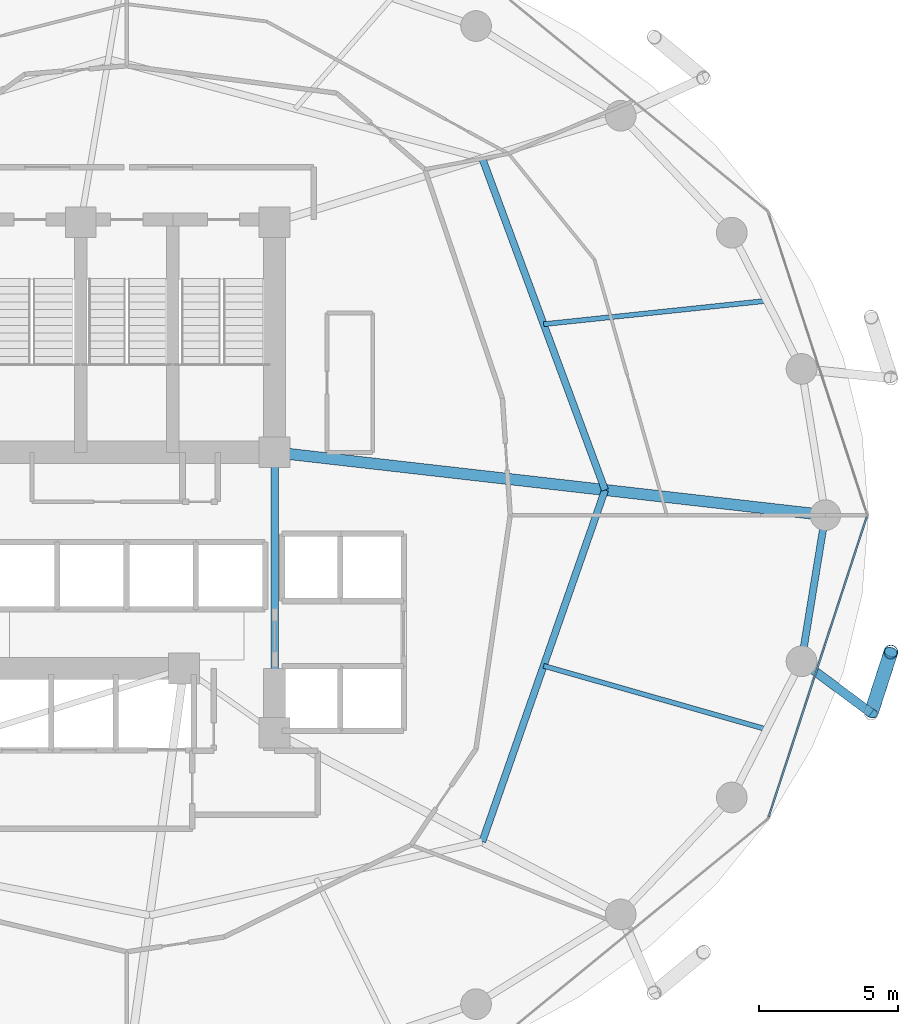
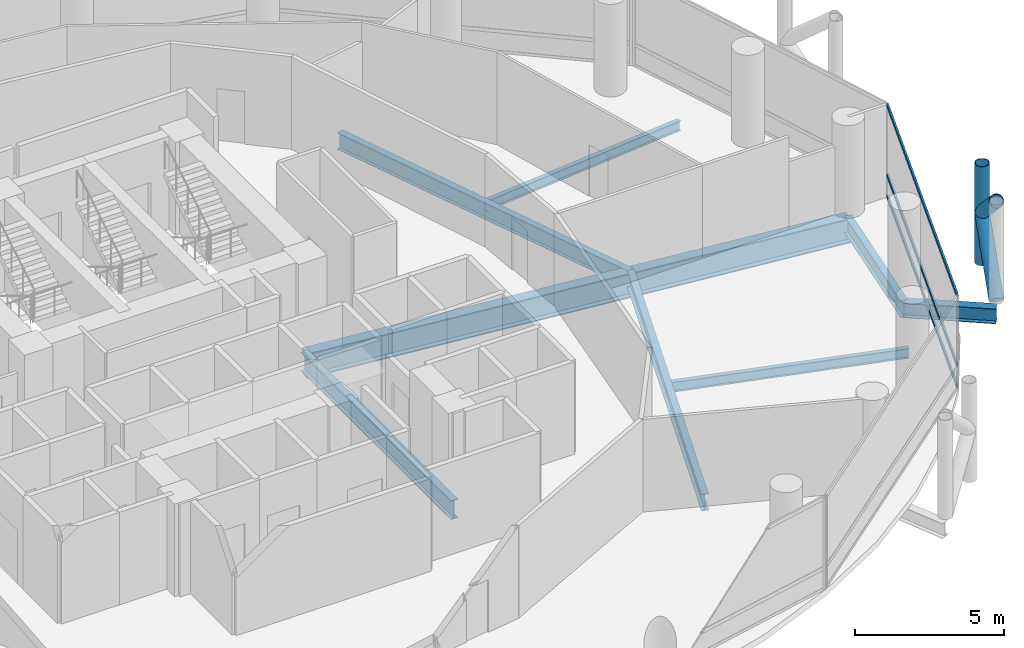
# One storey, part 11 of 25: 8 beams, 6 members, 1 element without a shape of its own.
"""IFC4 building model written with IfcOpenShell, lengths in metres."""

import ifcopenshell
import ifcopenshell.guid

model = None  # the IFC model being written
_history = None  # IfcOwnerHistory: only IFC2X3 demands one
_inside = {}  # id of a spatial element -> (the spatial element, [elements in it])
_under = {}  # id of a project, library or spatial element -> (it, [spatial elements below it])
_declared = {}  # id of a project -> (the project, [libraries it declares])
_typed = {}  # id of a type object -> (the type object, [elements of that type])
_made_of = {}  # id of a material, layer set ... -> (it, [elements and type objects made of it])


def new_model(schema):
    """Start an empty IFC model of exactly this schema.

    Asked for "IFC4X3", IfcOpenShell would pick the latest addendum, in which some entities
    have other attributes; the version numbers below select the first issue.
    IFC2X3 requires an IfcOwnerHistory on every rooted entity: one is made here for all.
    """
    global model, _history
    if schema == "IFC4X3":
        model = ifcopenshell.file(schema_version=(4, 3, 0, 0))
    else:
        model = ifcopenshell.file(schema=schema)
    _inside.clear()
    _under.clear()
    _declared.clear()
    _typed.clear()
    _made_of.clear()
    _history = None
    if model.schema == "IFC2X3":
        org = make("IfcOrganization", Name="unknown")
        user = make(
            "IfcPersonAndOrganization",
            ThePerson=make("IfcPerson", FamilyName="unknown"),
            TheOrganization=org,
        )
        app = make(
            "IfcApplication",
            ApplicationDeveloper=org,
            Version="unknown",
            ApplicationFullName="unknown",
            ApplicationIdentifier="unknown",
        )
        _history = make(
            "IfcOwnerHistory",
            OwningUser=user,
            OwningApplication=app,
            ChangeAction="ADDED",
            CreationDate=0,
        )
    return model


def make(cls, **values):
    """One entity of the class cls with the attributes given. An attribute that is None is left unset."""
    return model.create_entity(
        cls, **{name: value for name, value in values.items() if value is not None}
    )


def rooted(cls, **values):
    """An entity with a GlobalId (a new one), such as an element, a storey or a relation."""
    return make(cls, GlobalId=ifcopenshell.guid.new(), OwnerHistory=_history, **values)


def si_unit(unit_type, name, prefix=None):
    """IfcSIUnit, for example si_unit("LENGTHUNIT", "METRE", prefix="MILLI")."""
    return make("IfcSIUnit", UnitType=unit_type, Prefix=prefix, Name=name)


def assignment(units):
    """IfcUnitAssignment: the units of a project."""
    return None if units is None else make("IfcUnitAssignment", Units=units)


def point(xyz):
    """IfcCartesianPoint."""
    return None if xyz is None else make("IfcCartesianPoint", Coordinates=xyz)


def direction(xyz):
    """IfcDirection."""
    return None if xyz is None else make("IfcDirection", DirectionRatios=xyz)


def frame(location, z_axis=None, x_axis=None):
    """IfcAxis2Placement3D, a coordinate frame: its origin and axes. An axis left out is left unset."""
    return make(
        "IfcAxis2Placement3D",
        Location=point(location),
        Axis=direction(z_axis),
        RefDirection=direction(x_axis),
    )


def frame_2d(location, x_axis=None):
    """IfcAxis2Placement2D, a coordinate frame in the plane: its origin and x axis."""
    return make(
        "IfcAxis2Placement2D", Location=point(location), RefDirection=direction(x_axis)
    )


def origin():
    """The frame at (0, 0, 0) with its axes left unset."""
    return frame((0.0, 0.0, 0.0))


def origin_2d():
    """The frame at (0, 0) in the plane with its x axis left unset."""
    return frame_2d((0.0, 0.0))


def place(relative_to, where):
    """IfcLocalPlacement: puts the frame where relative to a parent placement (None: the world)."""
    return make(
        "IfcLocalPlacement", PlacementRelTo=relative_to, RelativePlacement=where
    )


def context(
    kind, dimensions, precision=None, world=None, true_north=None, identifier=None
):
    """IfcGeometricRepresentationContext, for example the 3D "Model" context."""
    return make(
        "IfcGeometricRepresentationContext",
        ContextIdentifier=identifier,
        ContextType=kind,
        CoordinateSpaceDimension=dimensions,
        Precision=precision,
        WorldCoordinateSystem=world,
        TrueNorth=true_north,
    )


def subcontext(parent, identifier, kind, view, scale=None):
    """IfcGeometricRepresentationSubContext, for example "Body" below "Model"."""
    return make(
        "IfcGeometricRepresentationSubContext",
        ContextIdentifier=identifier,
        ContextType=kind,
        ParentContext=parent,
        TargetScale=scale,
        TargetView=view,
    )


def project(units=None, contexts=None):
    """IfcProject with its units and contexts."""
    return rooted(
        "IfcProject",
        Name="project",
        RepresentationContexts=contexts,
        UnitsInContext=assignment(units),
    )


def spatial(cls, under=None, at=None, **own):
    """A site, building, storey or space (cls), placed at a placement, below another one or the project."""
    s = rooted(cls, ObjectPlacement=at, **own)
    if under is not None:
        _under.setdefault(under.id(), (under, []))[1].append(s)
    return s


def profile(cls, at=None, kind="AREA", **sizes):
    """A parametric profile (cls). Its sizes go by their IFC names, for example OverallWidth=200.0."""
    return make(cls, ProfileType=kind, Position=at, **sizes)


def hollow_rectangle(**sizes):
    """IfcRectangleHollowProfileDef."""
    return profile("IfcRectangleHollowProfileDef", **sizes)


def hollow_circle(**sizes):
    """IfcCircleHollowProfileDef."""
    return profile("IfcCircleHollowProfileDef", **sizes)


def i_section(**sizes):
    """IfcIShapeProfileDef."""
    return profile("IfcIShapeProfileDef", **sizes)


def extrude(swept, where, along, depth):
    """IfcExtrudedAreaSolid: the profile swept, set in the frame where, extruded along a direction by depth."""
    return make(
        "IfcExtrudedAreaSolid",
        SweptArea=swept,
        Position=where,
        ExtrudedDirection=direction(along),
        Depth=depth,
    )


def shape(context_of_items, identifier, shape_type, items):
    """IfcShapeRepresentation: the items that make up one representation, for example the "Body"."""
    return make(
        "IfcShapeRepresentation",
        ContextOfItems=context_of_items,
        RepresentationIdentifier=identifier,
        RepresentationType=shape_type,
        Items=items,
    )


def material(Name=None, Category=None):
    """IfcMaterial."""
    return make("IfcMaterial", Name=Name, Category=Category)


def layer(
    of_material, thickness, ventilated=None, Name=None, Category=None, Priority=None
):
    """IfcMaterialLayer: one layer of a wall or slab, of a material (None: an air gap)."""
    return make(
        "IfcMaterialLayer",
        Material=of_material,
        LayerThickness=thickness,
        IsVentilated=ventilated,
        Name=Name,
        Category=Category,
        Priority=Priority,
    )


def layer_set(layers, Name=None):
    """IfcMaterialLayerSet."""
    return make("IfcMaterialLayerSet", MaterialLayers=layers, LayerSetName=Name)


def material_profile(
    of_material, cross_section, Name=None, Category=None, Priority=None
):
    """IfcMaterialProfile: a cross section and its material."""
    return make(
        "IfcMaterialProfile",
        Name=Name,
        Material=of_material,
        Profile=cross_section,
        Priority=Priority,
        Category=Category,
    )


def profile_set(profiles, Name=None, composite=None):
    """IfcMaterialProfileSet."""
    return make(
        "IfcMaterialProfileSet",
        Name=Name,
        MaterialProfiles=profiles,
        CompositeProfile=composite,
    )


def made_of(thing, what):
    """Note that an element or type object is made of a material, layer set ...; save() writes the relation."""
    if what is not None:
        _made_of.setdefault(what.id(), (what, []))[1].append(thing)
    return thing


def type_object(cls, material=None, **own):
    """A type object (cls), such as IfcWallType, which elements share."""
    return made_of(rooted(cls, **own), material)


def element(
    cls,
    number,
    at=None,
    inside=None,
    cuts=None,
    type_object=None,
    material=None,
    context=None,
    identifier="Body",
    shape_type=None,
    held_by="IfcProductDefinitionShape",
    body=None,
    shapes=None,
    **own,
):
    """One element of the class cls, such as IfcWall. Its Tag is "e" and its number.

    at: its placement. inside: the storey or other place that contains it. cuts: it is an
    opening in that element (IfcRelVoidsElement). A single representation is given by context,
    identifier, shape_type and body (its items); several are given by shapes. held_by: the class
    of the entity that holds the representations. save() writes the other relations.
    """
    e = rooted(cls, Tag="e%d" % number, ObjectPlacement=at, **own)
    if body is not None:
        shapes = [shape(context, identifier, shape_type, body)]
    if shapes is not None:
        e.Representation = make(held_by, Representations=shapes)
    if inside is not None:
        _inside.setdefault(inside.id(), (inside, []))[1].append(e)
    if cuts is not None:
        rooted(
            "IfcRelVoidsElement", RelatingBuildingElement=cuts, RelatedOpeningElement=e
        )
    if type_object is not None:
        _typed.setdefault(type_object.id(), (type_object, []))[1].append(e)
    return made_of(e, material)


def aggregate(whole, parts):
    """IfcRelAggregates: a whole, such as a stair, and the parts it consists of."""
    return rooted("IfcRelAggregates", RelatingObject=whole, RelatedObjects=parts)


def save(model, path):
    """Write the relations noted so far, then the file.

    IfcRelAggregates (storeys below a building ...), IfcRelContainedInSpatialStructure (elements
    in a storey), IfcRelDefinesByType, IfcRelAssociatesMaterial and IfcRelDeclares: one each for
    every whole, place, type object, material and project.
    """
    for whole, parts in _under.values():
        aggregate(whole, parts)
    for where, things in _inside.values():
        rooted(
            "IfcRelContainedInSpatialStructure",
            RelatedElements=things,
            RelatingStructure=where,
        )
    for kind, things in _typed.values():
        rooted("IfcRelDefinesByType", RelatedObjects=things, RelatingType=kind)
    for what, things in _made_of.values():
        rooted("IfcRelAssociatesMaterial", RelatedObjects=things, RelatingMaterial=what)
    for by, libraries in _declared.values():
        rooted("IfcRelDeclares", RelatingContext=by, RelatedDefinitions=libraries)
    model.write(path)


model = new_model("IFC4")

# Units and contexts
model_context = context("Model", 3, precision=1e-05, world=origin(), true_north=direction((0.0, 1.0)))
body_context = subcontext(model_context, "Body", "Model", "MODEL_VIEW")
ifc_project = project(units=[si_unit("LENGTHUNIT", "METRE"), si_unit("AREAUNIT", "SQUARE_METRE"), si_unit("VOLUMEUNIT", "CUBIC_METRE"), si_unit("PLANEANGLEUNIT", "RADIAN"), si_unit("MASSUNIT", "GRAM", prefix="KILO")], contexts=[model_context])

# Site, building, storey
site_placement = place(None, origin())
site = spatial("IfcSite", under=ifc_project, at=site_placement, CompositionType="ELEMENT")
building_placement = place(site_placement, origin())
building = spatial("IfcBuilding", under=site, at=building_placement, Name="Nuhasar Tower", CompositionType="ELEMENT")
storey_placement = place(building_placement, frame((0.0, 0.0, 45.300048828125)))
storey = spatial("IfcBuildingStorey", under=building, at=storey_placement, Name="L10", CompositionType="ELEMENT", Elevation=45.300048828125)

# Beams
ifc_material_1 = material(Name="Steel S355", Category="steel")
ifc_material_profile_1 = material_profile(ifc_material_1, i_section(OverallWidth=0.25390625, OverallDepth=0.68408203125, WebThickness=0.012451171875, FlangeThickness=0.018798828125, at=origin_2d()), Name="W27X94")
ifc_profile_set_1 = profile_set([ifc_material_profile_1], Name="Steel S355")
beam_type_1 = type_object("IfcBeamType", Name="BM-INRING-W27X94", PredefinedType="BEAM", material=ifc_profile_set_1)
beam_1_placement = place(storey_placement, frame((51.748046875, 15.089111328125, -0.60205078125), z_axis=(0.329554049858, 0.944136710558, 0.0), x_axis=(-0.944136710558, 0.329554049858, 0.0)))
element("IfcBeam", 1, at=beam_1_placement, inside=storey, type_object=beam_type_1, Name="L10 Inner Header Beam 03", PredefinedType="BEAM", context=body_context, shape_type="SweptSolid", body=[
    extrude(i_section(OverallWidth=0.25390625, OverallDepth=0.68408203125, WebThickness=0.012451171875, FlangeThickness=0.018798828125, at=origin_2d()), origin(), (0.0, 0.0, 1.0), 13.35693359375),
])
beam_2_placement = place(storey_placement, frame((56.14990234375, 27.699951171875, -0.60205078125), z_axis=(-0.34715757476, 0.937806812881, 0.0), x_axis=(-0.937806812881, -0.34715757476, 0.0)))
element("IfcBeam", 2, at=beam_2_placement, inside=storey, type_object=beam_type_1, Name="L10 Inner Header Beam 04", PredefinedType="BEAM", context=body_context, shape_type="SweptSolid", body=[
    extrude(i_section(OverallWidth=0.25390625, OverallDepth=0.68408203125, WebThickness=0.012451171875, FlangeThickness=0.018798828125, at=origin_2d()), origin(), (0.0, 0.0, 1.0), 12.6796875),
])
ifc_material_profile_2 = material_profile(ifc_material_1, i_section(OverallWidth=0.177978515625, OverallDepth=0.406005859375, WebThickness=0.0078125, FlangeThickness=0.0126953125, at=origin_2d()), Name="W16X40")
ifc_profile_set_2 = profile_set([ifc_material_profile_2], Name="Steel S355")
beam_type_2 = type_object("IfcBeamType", Name="BM-JST-W16X40", PredefinedType="JOIST", material=ifc_profile_set_2)
beam_3_placement = place(storey_placement, frame((53.948974609375, 21.39501953125, -0.463134765625), z_axis=(0.961730884496, -0.273995813484, 0.0), x_axis=(0.273995813484, 0.961730884496, 0.0)))
element("IfcBeam", 3, at=beam_3_placement, inside=storey, type_object=beam_type_2, Name="L10 Secondary Floor Joist 03", PredefinedType="JOIST", context=body_context, shape_type="SweptSolid", body=[
    extrude(i_section(OverallWidth=0.177978515625, OverallDepth=0.406005859375, WebThickness=0.0078125, FlangeThickness=0.0126953125, at=origin_2d()), origin(), (0.0, 0.0, 1.0), 8.314208984375),
])
beam_4_placement = place(storey_placement, frame((53.948974609375, 33.64501953125, -0.463134765625), z_axis=(0.994554594377, 0.104216883485, 0.0), x_axis=(-0.104216883485, 0.994554594377, 0.0)))
element("IfcBeam", 4, at=beam_4_placement, inside=storey, type_object=beam_type_2, Name="L10 Secondary Floor Joist 04", PredefinedType="JOIST", context=body_context, shape_type="SweptSolid", body=[
    extrude(i_section(OverallWidth=0.177978515625, OverallDepth=0.406005859375, WebThickness=0.0078125, FlangeThickness=0.0126953125, at=origin_2d()), origin(), (0.0, 0.0, 1.0), 8.039794921875),
])
ifc_material_profile_3 = material_profile(ifc_material_1, i_section(OverallWidth=0.26611328125, OverallDepth=0.779052734375, WebThickness=0.0166015625, FlangeThickness=0.030029296875, at=origin_2d()), Name="W30X148")
ifc_profile_set_3 = profile_set([ifc_material_profile_3], Name="Steel S355")
beam_type_3 = type_object("IfcBeamType", Name="BM-RAD-W30X148", PredefinedType="BEAM", material=ifc_profile_set_3)
beam_5_placement = place(storey_placement, frame((44.300048828125, 19.0, -0.649169921875), z_axis=(0.0, 1.0, 0.0), x_axis=(-1.0, 0.0, 0.0)))
element("IfcBeam", 5, at=beam_5_placement, inside=storey, type_object=beam_type_3, Name="L10 Core Ring Girder 3", PredefinedType="BEAM", context=body_context, shape_type="SweptSolid", body=[
    extrude(i_section(OverallWidth=0.26611328125, OverallDepth=0.779052734375, WebThickness=0.0166015625, FlangeThickness=0.030029296875, at=origin_2d()), origin(), (0.0, 0.0, 1.0), 10.050048828125),
])
ifc_material_profile_4 = material_profile(ifc_material_1, i_section(OverallWidth=0.256103515625, OverallDepth=0.693115234375, WebThickness=0.014404296875, FlangeThickness=0.023681640625, at=origin_2d()), Name="W27X114")
ifc_profile_set_4 = profile_set([ifc_material_profile_4], Name="Steel S355")
beam_type_4 = type_object("IfcBeamType", Name="BM-RING-W27X114", PredefinedType="SPANDREL", material=ifc_profile_set_4)
beam_6_placement = place(storey_placement, frame((63.196044921875, 21.55908203125, -0.60595703125), z_axis=(0.160826635486, 0.986982671235, 0.0), x_axis=(-0.986982671235, 0.160826635486, 0.0)))
element("IfcBeam", 6, at=beam_6_placement, inside=storey, type_object=beam_type_4, Name="L10 Perimeter Ring Spandrel 24", PredefinedType="SPANDREL", context=body_context, shape_type="SweptSolid", body=[
    extrude(i_section(OverallWidth=0.256103515625, OverallDepth=0.693115234375, WebThickness=0.014404296875, FlangeThickness=0.023681640625, at=origin_2d()), origin(), (0.0, 0.0, 1.0), 5.31005859375),
])
ifc_material_profile_5 = material_profile(ifc_material_1, i_section(OverallWidth=0.323974609375, OverallDepth=0.611083984375, WebThickness=0.0126953125, FlangeThickness=0.01904296875, at=origin_2d()), Name="W24X104")
ifc_profile_set_5 = profile_set([ifc_material_profile_5], Name="Steel S355")
beam_type_5 = type_object("IfcBeamType", Name="BM-TIE-W24X104", PredefinedType="BEAM", material=ifc_profile_set_5)
beam_7_placement = place(storey_placement, frame((63.196044921875, 21.55908203125, -0.566162109375), z_axis=(0.802113478067, -0.597171640572, 0.0), x_axis=(0.597171640572, 0.802113478067, 0.0)))
element("IfcBeam", 7, at=beam_7_placement, inside=storey, type_object=beam_type_5, Name="L10 Exoskeleton Node Tie Beam 12", PredefinedType="BEAM", context=body_context, shape_type="SweptSolid", body=[
    extrude(i_section(OverallWidth=0.323974609375, OverallDepth=0.611083984375, WebThickness=0.0126953125, FlangeThickness=0.01904296875, at=origin_2d()), origin(), (0.0, 0.0, 1.0), 3.111572265625),
])
ifc_material_2 = material(Name="Steel S460", Category="steel")
ifc_material_profile_6 = material_profile(ifc_material_2, i_section(OverallWidth=0.40087890625, OverallDepth=1.010009765625, WebThickness=0.023681640625, FlangeThickness=0.0419921875, at=origin_2d()), Name="W40X297")
ifc_profile_set_6 = profile_set([ifc_material_profile_6], Name="Steel S460")
beam_type_6 = type_object("IfcBeamType", Name="BM-XFER-W40X297", PredefinedType="USERDEFINED", material=ifc_profile_set_6)
beam_8_placement = place(storey_placement, frame((44.300048828125, 29.050048828125, -0.76513671875), z_axis=(0.993573147212, -0.113191877531, 0.0), x_axis=(0.113191877531, 0.993573147212, 0.0)))
element("IfcBeam", 8, at=beam_8_placement, inside=storey, type_object=beam_type_6, Name="L10 Radial Floor Girder 04", ObjectType="GIRDER", PredefinedType="USERDEFINED", context=body_context, shape_type="SweptSolid", body=[
    extrude(i_section(OverallWidth=0.40087890625, OverallDepth=1.010009765625, WebThickness=0.023681640625, FlangeThickness=0.0419921875, at=origin_2d()), origin(), (0.0, 0.0, 1.0), 19.877685546875),
])

# Curtain wall, members
ifc_material_3 = material(Name="Aluminium 6063-T6", Category="aluminium")
ifc_layer = layer(ifc_material_3, 0.199951171875)
ifc_layer_set = layer_set([ifc_layer], Name="Aluminium 6063-T6")
curtain_wall_type = type_object("IfcCurtainWallType", Name="CW-Z1-OFF", PredefinedType="NOTDEFINED", material=ifc_layer_set)
curtain_wall_placement = place(storey_placement, origin())
curtain_wall = element("IfcCurtainWall", 9, at=curtain_wall_placement, inside=storey, type_object=curtain_wall_type, Name="L10 Unitised Curtain Wall 12", PredefinedType="NOTDEFINED")
ifc_material_profile_7 = material_profile(ifc_material_3, hollow_rectangle(XDim=0.06494140625, YDim=0.14990234375, WallThickness=0.00439453125, at=origin_2d()), Name="CWT-2")
ifc_profile_set_7 = profile_set([ifc_material_profile_7], Name="Aluminium 6063-T6")
member_type_1 = type_object("IfcMemberType", Name="CW-TRN-S2", PredefinedType="USERDEFINED", material=ifc_profile_set_7)
member_1_placement = place(storey_placement, frame((62.022216796875, 15.981689453125, 0.032470703125), z_axis=(0.310818687697, 0.950469222741, 0.0), x_axis=(-0.950469222741, 0.310818687697, 0.0)))
member_1 = element("IfcMember", 10, at=member_1_placement, type_object=member_type_1, Name="CW-Z1 transom 1.1", ObjectType="TRANSOM", PredefinedType="USERDEFINED", context=body_context, shape_type="SweptSolid", body=[
    extrude(hollow_rectangle(XDim=0.06494140625, YDim=0.14990234375, WallThickness=0.00439453125, at=origin_2d()), origin(), (0.0, 0.0, 1.0), 11.317138671875),
])
member_2_placement = place(storey_placement, frame((62.022216796875, 15.981689453125, 0.89990234375), z_axis=(0.310818687697, 0.950469222741, 0.0), x_axis=(-0.950469222741, 0.310818687697, 0.0)))
member_2 = element("IfcMember", 11, at=member_2_placement, type_object=member_type_1, Name="CW-Z1 transom 1.2", ObjectType="TRANSOM", PredefinedType="USERDEFINED", context=body_context, shape_type="SweptSolid", body=[
    extrude(hollow_rectangle(XDim=0.06494140625, YDim=0.14990234375, WallThickness=0.00439453125, at=origin_2d()), origin(), (0.0, 0.0, 1.0), 11.317138671875),
])
member_3_placement = place(storey_placement, frame((62.022216796875, 15.981689453125, 3.757568359375), z_axis=(0.310818687697, 0.950469222741, 0.0), x_axis=(-0.950469222741, 0.310818687697, 0.0)))
member_3 = element("IfcMember", 12, at=member_3_placement, type_object=member_type_1, Name="CW-Z1 transom 1.3", ObjectType="TRANSOM", PredefinedType="USERDEFINED", context=body_context, shape_type="SweptSolid", body=[
    extrude(hollow_rectangle(XDim=0.06494140625, YDim=0.14990234375, WallThickness=0.00439453125, at=origin_2d()), origin(), (0.0, 0.0, 1.0), 11.317138671875),
])
aggregate(curtain_wall, [member_1, member_2, member_3])

# Members
ifc_material_profile_8 = material_profile(ifc_material_2, hollow_circle(Radius=0.25390625, WallThickness=0.025390625, at=origin_2d()), Name="HSS508X25.4")
ifc_profile_set_8 = profile_set([ifc_material_profile_8], Name="Steel S460")
member_type_2 = type_object("IfcMemberType", Name="EXO-BRONZE-508", PredefinedType="BRACE", material=ifc_profile_set_8)
member_4_placement = place(storey_placement, frame((66.39990234375, 21.889892578125, 0.0), z_axis=(0.0, 0.0, 1.0), x_axis=(1.0, 0.0, 0.0)))
element("IfcMember", 13, at=member_4_placement, inside=storey, type_object=member_type_2, Name="L10 Exoskeleton Chord Column EC-12B", PredefinedType="BRACE", context=body_context, shape_type="SweptSolid", body=[
    extrude(hollow_circle(Radius=0.25390625, WallThickness=0.025390625, at=origin_2d()), origin(), (0.0, 0.0, 1.0), 4.050048828125),
])
member_5_placement = place(storey_placement, frame((65.69189453125, 19.700927734375, 0.0), z_axis=(0.231011836313, 0.714224870475, 0.660693851854), x_axis=(-0.951468282519, 0.307746823478, 0.0)))
element("IfcMember", 14, at=member_5_placement, inside=storey, type_object=member_type_2, Name="L10 Bronze Diagrid Brace W1-12", PredefinedType="BRACE", context=body_context, shape_type="SweptSolid", body=[
    extrude(hollow_circle(Radius=0.25390625, WallThickness=0.025390625, at=origin_2d()), origin(), (0.0, 0.0, 1.0), 3.064697265625),
])
member_6_placement = place(storey_placement, frame((66.39990234375, 21.889892578125, 2.02490234375), z_axis=(-0.230999678299, -0.714187281251, 0.660738734997), x_axis=(0.951468282519, -0.307746823478, 0.0)))
element("IfcMember", 15, at=member_6_placement, inside=storey, type_object=member_type_2, Name="L10 Bronze Diagrid Brace W2-12", PredefinedType="BRACE", context=body_context, shape_type="SweptSolid", body=[
    extrude(hollow_circle(Radius=0.25390625, WallThickness=0.025390625, at=origin_2d()), origin(), (0.0, 0.0, 1.0), 3.06494140625),
])

save(model, "model.ifc")
